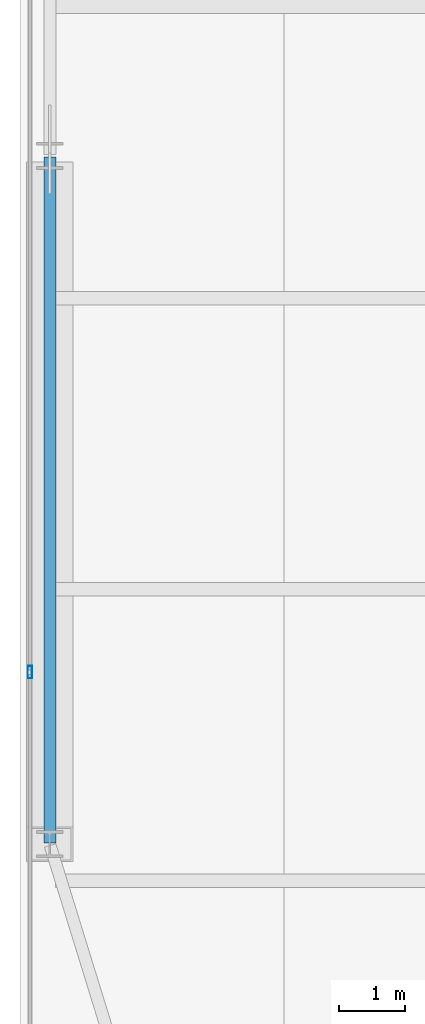
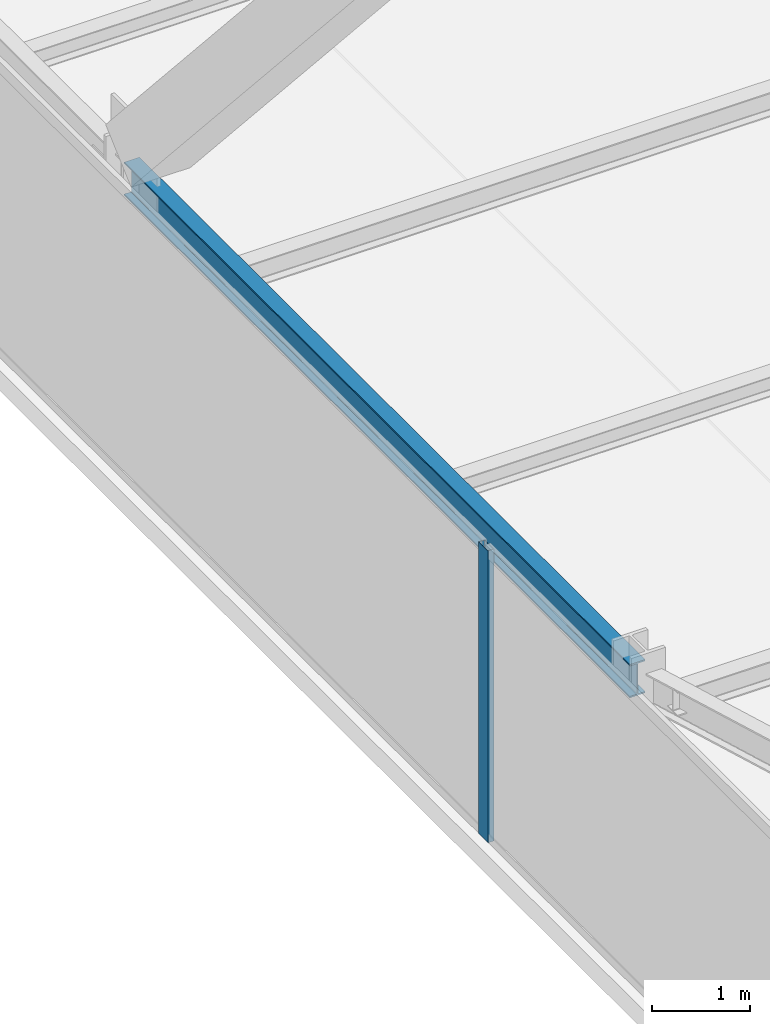
# One storey, part 9 of 35: 1 beam, 1 member, 1 element without a shape of its own.
"""IFC4 building model written with IfcOpenShell, lengths in metres."""

from ifc_helpers import new_model, si_unit, direction, frame, origin, origin_2d, place, context, subcontext, project, spatial, hollow_rectangle, i_section, extrude, source, transform, mapped, material, layer, layer_set, material_profile, profile_set, type_object, type_shapes, element, aggregate, save


model = new_model("IFC4")

# Units and contexts
model_context = context("Model", 3, precision=1e-05, world=origin(), true_north=direction((0.0, 1.0)))
body_context = subcontext(model_context, "Body", "Model", "MODEL_VIEW")
ifc_project = project(units=[si_unit("LENGTHUNIT", "METRE"), si_unit("AREAUNIT", "SQUARE_METRE"), si_unit("VOLUMEUNIT", "CUBIC_METRE"), si_unit("PLANEANGLEUNIT", "RADIAN"), si_unit("MASSUNIT", "GRAM", prefix="KILO")], contexts=[model_context])

# Site, building, storey
site_placement = place(None, origin())
site = spatial("IfcSite", under=ifc_project, at=site_placement, CompositionType="ELEMENT")
building_placement = place(site_placement, origin())
building = spatial("IfcBuilding", under=site, at=building_placement, Name="Varnel Quay Broadcast Tower", CompositionType="ELEMENT")
storey_placement = place(building_placement, frame((0.0, 0.0, 66.60009765625)))
storey = spatial("IfcBuildingStorey", under=building, at=storey_placement, Name="L15", CompositionType="ELEMENT", Elevation=66.60009765625)

# Beam
ifc_material_1 = material(Name="Structural Steel CSA G40.21 350W", Category="steel")
ifc_material_profile_1 = material_profile(ifc_material_1, i_section(OverallWidth=0.180908203125, OverallDepth=0.4169921875, WebThickness=0.010986328125, FlangeThickness=0.018310546875, FilletRadius=0.011962890625, at=origin_2d()), Name="W410X85")
ifc_profile_set_1 = profile_set([ifc_material_profile_1], Name="Structural Steel CSA G40.21 350W")
beam_type = type_object("IfcBeamType", Name="Beam_W410X85", PredefinedType="SPANDREL", material=ifc_profile_set_1)
shared_shape_1 = source(origin(), body_context, "Body", "SweptSolid", [
    extrude(i_section(OverallWidth=0.180908203125, OverallDepth=0.4169921875, WebThickness=0.010986328125, FlangeThickness=0.018310546875, FilletRadius=0.011962890625, at=origin_2d()), origin(), (0.0, 0.0, 1.0), 10.35986328125),
])
type_shapes(beam_type, [shared_shape_1])
beam_placement = place(storey_placement, frame((2.449951171875, 15.02001953125, 3.44140625), z_axis=(0.0, 1.0, 0.0), x_axis=(-1.0, 0.0, 0.0)))
element("IfcBeam", 1, at=beam_placement, inside=storey, type_object=beam_type, Name="L15 West Spandrel TC-W1-TC-W2", PredefinedType="SPANDREL", context=body_context, shape_type="MappedRepresentation", body=[
    mapped(shared_shape_1, transform((0.0, 0.0, 0.0), x_axis=(1.0, 0.0, 0.0), y_axis=(0.0, 1.0, 0.0), z_axis=(0.0, 0.0, 1.0), scale=1.0)),
])

# Curtain wall, member
ifc_material_2 = material(Name="Anodised Bronze Aluminium 6063-T6", Category="aluminium")
ifc_layer = layer(ifc_material_2, 0.18994140625, Name="Anodised Bronze Aluminium 6063-T6")
ifc_layer_set = layer_set([ifc_layer], Name="Anodised Bronze Aluminium 6063-T6")
curtain_wall_type = type_object("IfcCurtainWallType", Name="CW_LowerTower", PredefinedType="NOTDEFINED", material=ifc_layer_set)
curtain_wall_placement = place(storey_placement, origin())
curtain_wall = element("IfcCurtainWall", 2, at=curtain_wall_placement, inside=storey, type_object=curtain_wall_type, Name="L15 West Unitised Curtain Wall", PredefinedType="NOTDEFINED")
ifc_material_profile_2 = material_profile(ifc_material_2, hollow_rectangle(XDim=0.070068359375, YDim=0.18994140625, WallThickness=0.00390625, at=origin_2d()), Name="ALU70X190X4")
ifc_profile_set_2 = profile_set([ifc_material_profile_2], Name="Anodised Bronze Aluminium 6063-T6")
member_type = type_object("IfcMemberType", Name="Mull_CWS-02", PredefinedType="MULLION", material=ifc_profile_set_2)
shared_shape_2 = source(origin(), body_context, "Body", "SweptSolid", [
    extrude(hollow_rectangle(XDim=0.070068359375, YDim=0.18994140625, WallThickness=0.00390625, at=origin_2d()), origin(), (0.0, 0.0, 1.0), 3.64990234375),
])
type_shapes(member_type, [shared_shape_2])
member_placement = place(storey_placement, frame((2.14990234375, 17.60009765625, 0.0), z_axis=(0.0, 0.0, 1.0), x_axis=(-1.0, 0.0, 0.0)))
member = element("IfcMember", 3, at=member_placement, type_object=member_type, Name="CWS-02 mullion 2", PredefinedType="MULLION", context=body_context, shape_type="MappedRepresentation", body=[
    mapped(shared_shape_2, transform((0.0, 0.0, 0.0), x_axis=(1.0, 0.0, 0.0), y_axis=(0.0, 1.0, 0.0), z_axis=(0.0, 0.0, 1.0), scale=1.0)),
])
aggregate(curtain_wall, [member])

save(model, "model.ifc")
